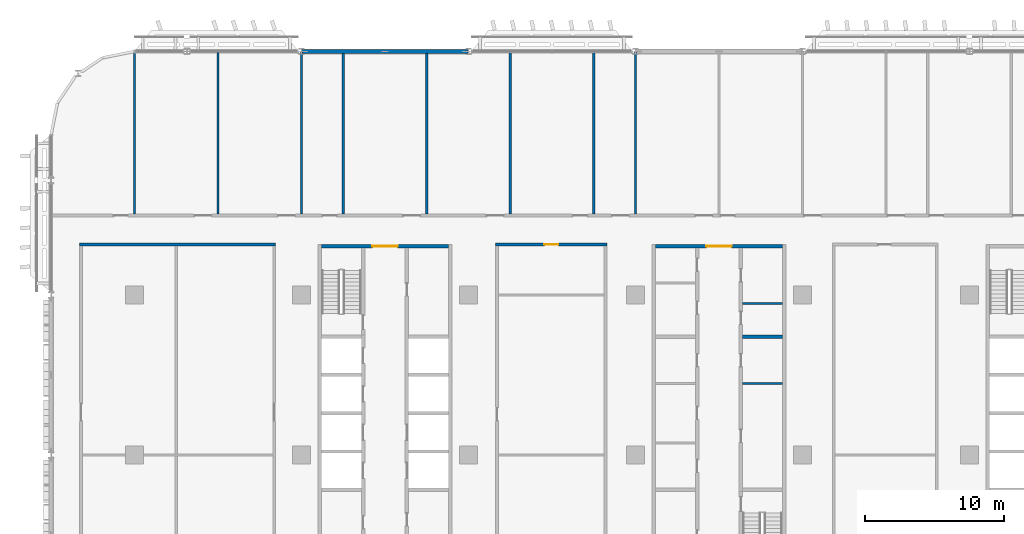
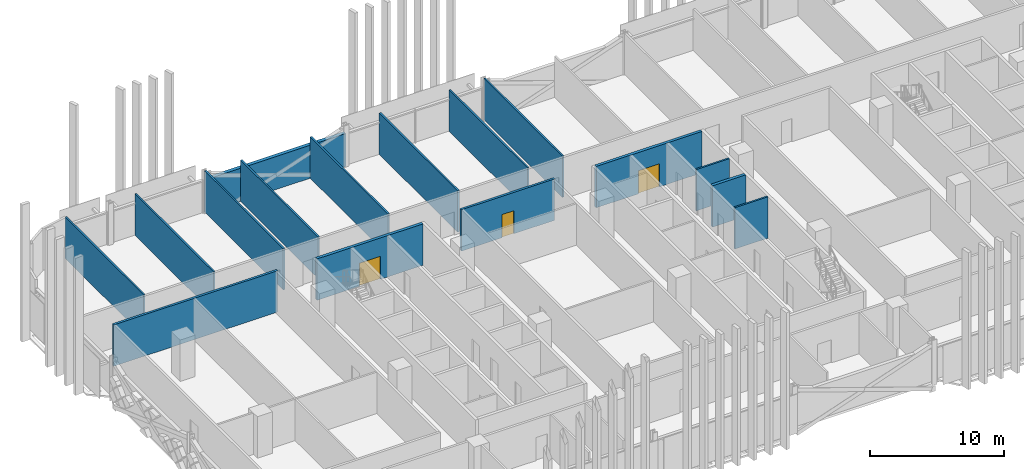
# One storey, part 13 of 33: 16 walls, 3 doors, 3 openings.
"""IFC4 building model written with IfcOpenShell, lengths in metres."""

from ifc_helpers import new_model, si_unit, direction, frame, frame_2d, origin, place, context, subcontext, project, spatial, rectangle, extrude, material, layer, layer_set, type_object, element, fill, save


model = new_model("IFC4")

# Units and contexts
model_context = context("Model", 3, precision=1e-05, world=origin(), true_north=direction((0.0, 1.0)))
body_context = subcontext(model_context, "Body", "Model", "MODEL_VIEW")
ifc_project = project(units=[si_unit("LENGTHUNIT", "METRE"), si_unit("AREAUNIT", "SQUARE_METRE"), si_unit("VOLUMEUNIT", "CUBIC_METRE"), si_unit("PLANEANGLEUNIT", "RADIAN"), si_unit("MASSUNIT", "GRAM", prefix="KILO")], contexts=[model_context])

# Site, building, storey
site_placement = place(None, origin())
site = spatial("IfcSite", under=ifc_project, at=site_placement, CompositionType="ELEMENT")
building_placement = place(site_placement, origin())
building = spatial("IfcBuilding", under=site, at=building_placement, Name="Mahtab Terrace Research Tower", CompositionType="ELEMENT")
storey_placement = place(building_placement, frame((0.0, 0.0, 122.0)))
storey = spatial("IfcBuildingStorey", under=building, at=storey_placement, Name="L28", CompositionType="ELEMENT", Elevation=122.0)

# Walls
ifc_material_1 = material(Name="Gypsum board partition")
ifc_layer_1 = layer(ifc_material_1, 0.14990234375)
ifc_layer_set_1 = layer_set([ifc_layer_1], Name="Core partition 150")
wall_type_1 = type_object("IfcWallType", Name="Core partition 150", PredefinedType="PARTITIONING", material=ifc_layer_set_1)
for number, where, z_axis, x_axis, name in (
    (1, (1.699951171875, 5.14990234375, 0.0), (0.0, 0.0, 1.0), (1.0, 0.0, 0.0), "Core wall B pEL215"),
    (2, (1.699951171875, 10.875, 0.0), (0.0, 0.0, 1.0), (1.0, 0.0, 0.0), "Core wall B pEN788"),
):
    element("IfcWall", number, at=place(storey_placement, frame(where, z_axis=z_axis, x_axis=x_axis)), inside=storey, type_object=wall_type_1, Name=name, PredefinedType="PARTITIONING", context=body_context, shape_type="SweptSolid", body=[
        extrude(rectangle(XDim=2.85009765625, YDim=0.14990234375, at=frame_2d((1.425048828125, 0.0))), origin(), (0.0, 0.0, 1.0), 3.760009765625),
    ])

# Wall, opening, door
ifc_material_2 = material(Name="Concrete C70/85", Category="concrete")
ifc_layer_2 = layer(ifc_material_2, 0.25)
ifc_layer_set_2 = layer_set([ifc_layer_2], Name="Core wall 250")
wall_type_2 = type_object("IfcWallType", Name="Core wall 250", PredefinedType="SOLIDWALL", material=ifc_layer_set_2)
wall_1_placement = place(storey_placement, frame((-28.550048828125, 15.0, 0.0), z_axis=(0.0, 0.0, 1.0), x_axis=(1.0, 0.0, 0.0)))
wall_1 = element("IfcWall", 3, at=wall_1_placement, inside=storey, type_object=wall_type_2, Name="Core wall A endN", PredefinedType="SOLIDWALL", context=body_context, shape_type="SweptSolid", body=[
    extrude(rectangle(XDim=9.10009765625, YDim=0.25, at=frame_2d((4.550048828125, 0.0))), origin(), (0.0, 0.0, 1.0), 3.760009765625),
])
opening_1_placement = place(wall_1_placement, frame((3.64990234375, 0.0, 0.0)))
opening_1 = element("IfcOpeningElement", 4, at=opening_1_placement, cuts=wall_1, Name="Opening A-N1", PredefinedType="OPENING", context=body_context, shape_type="SweptSolid", body=[
    extrude(rectangle(XDim=1.800048828125, YDim=2.10009765625, at=frame_2d((0.89990234375, 1.050048828125))), frame((0.0, 0.135009765625, 0.0), z_axis=(0.0, -1.0, 0.0), x_axis=(1.0, 0.0, 0.0)), (0.0, 0.0, 1.0), 0.27001953125),
])
ifc_material_3 = material(Name="Steel fire door", Category="steel")
door_type_1 = type_object("IfcDoorType", Name="Lobby double door 1800x2100 1 HR", OperationType="DOUBLE_DOOR_SINGLE_SWING", PredefinedType="DOOR", material=ifc_material_3)
door_1_placement = place(opening_1_placement, origin())
door_1 = element("IfcDoor", 5, at=door_1_placement, inside=storey, type_object=door_type_1, Name="Core entrance door A N", OperationType="DOUBLE_DOOR_SINGLE_SWING", OverallHeight=2.10009765625, OverallWidth=1.800048828125, PredefinedType="DOOR", context=body_context, shape_type="SweptSolid", body=[
    extrude(rectangle(XDim=1.800048828125, YDim=2.10009765625, at=frame_2d((0.89990234375, 1.050048828125))), frame((0.0, 0.02490234375, 0.0), z_axis=(0.0, -1.0, 0.0), x_axis=(1.0, 0.0, 0.0)), (0.0, 0.0, 1.0), 0.050048828125),
])
fill(opening_1, door_1)

wall_2_placement = place(storey_placement, frame((-4.550048828125, 15.0, 0.0), z_axis=(0.0, 0.0, 1.0), x_axis=(1.0, 0.0, 0.0)))
wall_2 = element("IfcWall", 6, at=wall_2_placement, inside=storey, type_object=wall_type_2, Name="Core wall B endN", PredefinedType="SOLIDWALL", context=body_context, shape_type="SweptSolid", body=[
    extrude(rectangle(XDim=9.10009765625, YDim=0.25, at=frame_2d((4.550048828125, 0.0))), origin(), (0.0, 0.0, 1.0), 3.760009765625),
])
opening_2_placement = place(wall_2_placement, frame((3.64990234375, 0.0, 0.0)))
opening_2 = element("IfcOpeningElement", 7, at=opening_2_placement, cuts=wall_2, Name="Opening B-N1", PredefinedType="OPENING", context=body_context, shape_type="SweptSolid", body=[
    extrude(rectangle(XDim=1.800048828125, YDim=2.10009765625, at=frame_2d((0.89990234375, 1.050048828125))), frame((0.0, 0.135009765625, 0.0), z_axis=(0.0, -1.0, 0.0), x_axis=(1.0, 0.0, 0.0)), (0.0, 0.0, 1.0), 0.27001953125),
])
door_2_placement = place(opening_2_placement, origin())
door_2 = element("IfcDoor", 8, at=door_2_placement, inside=storey, type_object=door_type_1, Name="Core entrance door B N", OperationType="DOUBLE_DOOR_SINGLE_SWING", OverallHeight=2.10009765625, OverallWidth=1.800048828125, PredefinedType="DOOR", context=body_context, shape_type="SweptSolid", body=[
    extrude(rectangle(XDim=1.800048828125, YDim=2.10009765625, at=frame_2d((0.89990234375, 1.050048828125))), frame((0.0, 0.02490234375, 0.0), z_axis=(0.0, -1.0, 0.0), x_axis=(1.0, 0.0, 0.0)), (0.0, 0.0, 1.0), 0.050048828125),
])
fill(opening_2, door_2)

# Walls
wall_3_placement = place(storey_placement, frame((1.699951171875, 8.5, 0.0), z_axis=(0.0, 0.0, 1.0), x_axis=(1.0, 0.0, 0.0)))
element("IfcWall", 9, at=wall_3_placement, inside=storey, type_object=wall_type_2, Name="Core wall B divE4", PredefinedType="SOLIDWALL", context=body_context, shape_type="SweptSolid", body=[
    extrude(rectangle(XDim=2.85009765625, YDim=0.25, at=frame_2d((1.425048828125, 0.0))), origin(), (0.0, 0.0, 1.0), 3.760009765625),
])
ifc_material_4 = material(Name="Black aluminium cladding panel", Category="aluminium")
ifc_layer_3 = layer(ifc_material_4, 0.300048828125)
ifc_layer_set_3 = layer_set([ifc_layer_3], Name="Opaque facade wall 300")
wall_type_3 = type_object("IfcWallType", Name="Opaque facade wall 300", PredefinedType="NOTDEFINED", material=ifc_layer_set_3)
wall_4_placement = place(storey_placement, frame((-18.017822265625, 29.0, 0.0), z_axis=(0.0, 0.0, 1.0), x_axis=(-1.0, 0.0, 0.0)))
element("IfcWall", 10, at=wall_4_placement, inside=storey, type_object=wall_type_3, Name="Opaque facade wall L28 N8", PredefinedType="NOTDEFINED", context=body_context, shape_type="SweptSolid", body=[
    extrude(rectangle(XDim=11.96435546875, YDim=0.300048828125, at=frame_2d((5.982177734375, 0.0))), origin(), (0.0, 0.0, 1.0), 3.003173828125),
])
ifc_material_5 = material(Name="Gypsum board corridor wall on steel studs", Category="steel")
ifc_layer_4 = layer(ifc_material_5, 0.199951171875)
ifc_layer_set_4 = layer_set([ifc_layer_4], Name="WALL CORRIDOR 200")
wall_type_4 = type_object("IfcWallType", Name="WALL CORRIDOR 200", PredefinedType="PARTITIONING", material=ifc_layer_set_4)
wall_5_placement = place(storey_placement, frame((-45.949951171875, 15.125, 0.0), z_axis=(0.0, 0.0, 1.0), x_axis=(1.0, 0.0, 0.0)))
element("IfcWall", 11, at=wall_5_placement, inside=storey, type_object=wall_type_4, Name="L28-W023", PredefinedType="PARTITIONING", context=body_context, shape_type="SweptSolid", body=[
    extrude(rectangle(XDim=14.099853515625, YDim=0.199951171875, at=frame_2d((7.0498046875, 0.0))), origin(), (0.0, 0.0, 1.0), 3.760009765625),
])

# Wall, opening, door
wall_6_placement = place(storey_placement, frame((-16.050048828125, 15.125, 0.0), z_axis=(0.0, 0.0, 1.0), x_axis=(1.0, 0.0, 0.0)))
wall_6 = element("IfcWall", 12, at=wall_6_placement, inside=storey, type_object=wall_type_4, Name="L28-W024", PredefinedType="PARTITIONING", context=body_context, shape_type="SweptSolid", body=[
    extrude(rectangle(XDim=8.0, YDim=0.199951171875, at=frame_2d((4.0, 0.0))), origin(), (0.0, 0.0, 1.0), 3.760009765625),
])
opening_3_placement = place(wall_6_placement, frame((3.5, 0.0, 0.0)))
opening_3 = element("IfcOpeningElement", 13, at=opening_3_placement, cuts=wall_6, Name="Opening L28-123", PredefinedType="OPENING", context=body_context, shape_type="SweptSolid", body=[
    extrude(rectangle(XDim=1.0, YDim=2.10009765625, at=frame_2d((0.5, 1.050048828125))), frame((0.0, 0.10986328125, 0.0), z_axis=(0.0, -1.0, 0.0), x_axis=(1.0, 0.0, 0.0)), (0.0, 0.0, 1.0), 0.219970703125),
])
ifc_material_6 = material(Name="Timber door leaf in steel frame", Category="steel")
door_type_2 = type_object("IfcDoorType", Name="DOOR 1000X2100 FD30S", OperationType="SINGLE_SWING_LEFT", PredefinedType="DOOR", material=ifc_material_6)
door_3_placement = place(opening_3_placement, origin())
door_3 = element("IfcDoor", 14, at=door_3_placement, inside=storey, type_object=door_type_2, Name="Door L28-123", OperationType="SINGLE_SWING_RIGHT", OverallHeight=2.10009765625, OverallWidth=1.0, PredefinedType="DOOR", context=body_context, shape_type="SweptSolid", body=[
    extrude(rectangle(XDim=1.0, YDim=2.10009765625, at=frame_2d((0.5, 1.050048828125))), frame((0.0, 0.02490234375, 0.0), z_axis=(0.0, -1.0, 0.0), x_axis=(1.0, 0.0, 0.0)), (0.0, 0.0, 1.0), 0.050048828125),
])
fill(opening_3, door_3)

# Walls
ifc_material_7 = material(Name="Gypsum board partition on steel studs", Category="steel")
ifc_layer_5 = layer(ifc_material_7, 0.14990234375)
ifc_layer_set_5 = layer_set([ifc_layer_5], Name="WALL PARTITION 150")
wall_type_5 = type_object("IfcWallType", Name="WALL PARTITION 150", PredefinedType="PARTITIONING", material=ifc_layer_set_5)
for number, where, z_axis, x_axis, name in (
    (15, (-42.0, 17.300048828125, 0.0), (0.0, 0.0, 1.0), (0.0, 1.0, 0.0), "L28-W029"),
    (16, (-36.0, 17.300048828125, 0.0), (0.0, 0.0, 1.0), (0.0, 1.0, 0.0), "L28-W031"),
    (17, (-30.0, 17.300048828125, 0.0), (0.0, 0.0, 1.0), (0.0, 1.0, 0.0), "L28-W034"),
):
    element("IfcWall", number, at=place(storey_placement, frame(where, z_axis=z_axis, x_axis=x_axis)), inside=storey, type_object=wall_type_5, Name=name, PredefinedType="PARTITIONING", context=body_context, shape_type="SweptSolid", body=[
        extrude(rectangle(XDim=11.675048828125, YDim=0.14990234375, at=frame_2d((5.83740234375, 0.0))), origin(), (0.0, 0.0, 1.0), 3.760009765625),
    ])
for number, where, z_axis, x_axis, name in (
    (18, (-27.0, 17.300048828125, 0.0), (0.0, 0.0, 1.0), (0.0, 1.0, 0.0), "L28-W035"),
    (19, (-21.0, 17.300048828125, 0.0), (0.0, 0.0, 1.0), (0.0, 1.0, 0.0), "L28-W037"),
):
    element("IfcWall", number, at=place(storey_placement, frame(where, z_axis=z_axis, x_axis=x_axis)), inside=storey, type_object=wall_type_5, Name=name, PredefinedType="PARTITIONING", context=body_context, shape_type="SweptSolid", body=[
        extrude(rectangle(XDim=11.550048828125, YDim=0.14990234375, at=frame_2d((5.77490234375, 0.0))), origin(), (0.0, 0.0, 1.0), 3.760009765625),
    ])
for number, where, z_axis, x_axis, name in (
    (20, (-15.0, 17.300048828125, 0.0), (0.0, 0.0, 1.0), (0.0, 1.0, 0.0), "L28-W040"),
    (21, (-9.0, 17.300048828125, 0.0), (0.0, 0.0, 1.0), (0.0, 1.0, 0.0), "L28-W041"),
    (22, (-6.0, 17.300048828125, 0.0), (0.0, 0.0, 1.0), (0.0, 1.0, 0.0), "L28-W043"),
):
    element("IfcWall", number, at=place(storey_placement, frame(where, z_axis=z_axis, x_axis=x_axis)), inside=storey, type_object=wall_type_5, Name=name, PredefinedType="PARTITIONING", context=body_context, shape_type="SweptSolid", body=[
        extrude(rectangle(XDim=11.675048828125, YDim=0.14990234375, at=frame_2d((5.83740234375, 0.0))), origin(), (0.0, 0.0, 1.0), 3.760009765625),
    ])

save(model, "model.ifc")
